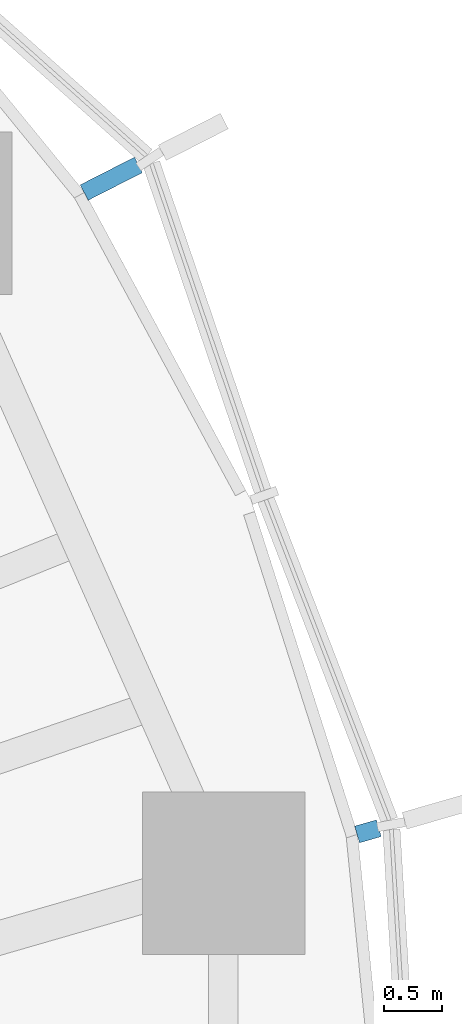
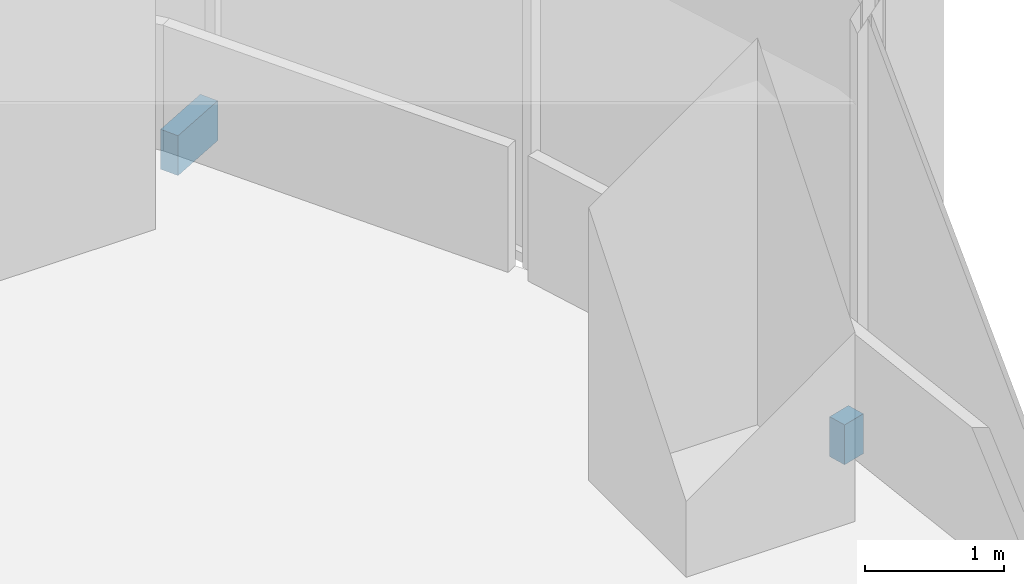
# One storey, part 16 of 18: 2 discrete accessories.
"""IFC4 building model written with IfcOpenShell, lengths in metres."""

from ifc_helpers import new_model, si_unit, direction, frame, origin, origin_2d, place, context, subcontext, project, spatial, rectangle, extrude, material, type_object, element, save


model = new_model("IFC4")

# Units and contexts
model_context = context("Model", 3, precision=1e-05, world=origin(), true_north=direction((0.0, 1.0)))
body_context = subcontext(model_context, "Body", "Model", "MODEL_VIEW")
ifc_project = project(units=[si_unit("LENGTHUNIT", "METRE"), si_unit("AREAUNIT", "SQUARE_METRE"), si_unit("VOLUMEUNIT", "CUBIC_METRE"), si_unit("PLANEANGLEUNIT", "RADIAN"), si_unit("MASSUNIT", "GRAM", prefix="KILO")], contexts=[model_context])

# Site, building, storey
site_placement = place(None, origin())
site = spatial("IfcSite", under=ifc_project, at=site_placement, CompositionType="ELEMENT")
building_placement = place(site_placement, origin())
building = spatial("IfcBuilding", under=site, at=building_placement, Name="Ghaith Harvest Tower", CompositionType="ELEMENT")
storey_placement = place(building_placement, frame((0.0, 0.0, 151.199951171875)))
storey = spatial("IfcBuildingStorey", under=building, at=storey_placement, Name="L32", CompositionType="ELEMENT", Elevation=151.199951171875)

# Discrete accessories
ifc_material_1 = material(Name="Stainless steel grade 1.4401", Category="steel")
discrete_accessory_type_1 = type_object("IfcDiscreteAccessoryType", Name="CURTAIN WALL BRACKET 195", PredefinedType="BRACKET", material=ifc_material_1)
discrete_accessory_1_placement = place(storey_placement, frame((30.528076171875, 8.8232421875, -0.25), z_axis=(0.0, 0.0, 1.0), x_axis=(0.960680349985, 0.277656739792, 0.0)))
element("IfcDiscreteAccessory", 1, at=discrete_accessory_1_placement, inside=storey, type_object=discrete_accessory_type_1, Name="CW-L bracket 1 bay 02 L32", PredefinedType="BRACKET", context=body_context, shape_type="SweptSolid", body=[
    extrude(rectangle(XDim=0.195068359375, YDim=0.14990234375, at=origin_2d()), origin(), (0.0, 0.0, 1.0), 0.35009765625),
])
ifc_material_2 = material(Name="Stainless steel grade 1.4401", Category="steel")
discrete_accessory_type_2 = type_object("IfcDiscreteAccessoryType", Name="CURTAIN WALL BRACKET 525", PredefinedType="BRACKET", material=ifc_material_2)
discrete_accessory_2_placement = place(storey_placement, frame((28.318115234375, 14.442626953125, -0.25), z_axis=(0.0, 0.0, 1.0), x_axis=(0.890830752257, 0.454335306611, 0.0)))
element("IfcDiscreteAccessory", 2, at=discrete_accessory_2_placement, inside=storey, type_object=discrete_accessory_type_2, Name="CW-L bracket 3 bay 02 L32", PredefinedType="BRACKET", context=body_context, shape_type="SweptSolid", body=[
    extrude(rectangle(XDim=0.52490234375, YDim=0.14990234375, at=origin_2d()), origin(), (0.0, 0.0, 1.0), 0.35009765625),
])

save(model, "model.ifc")
